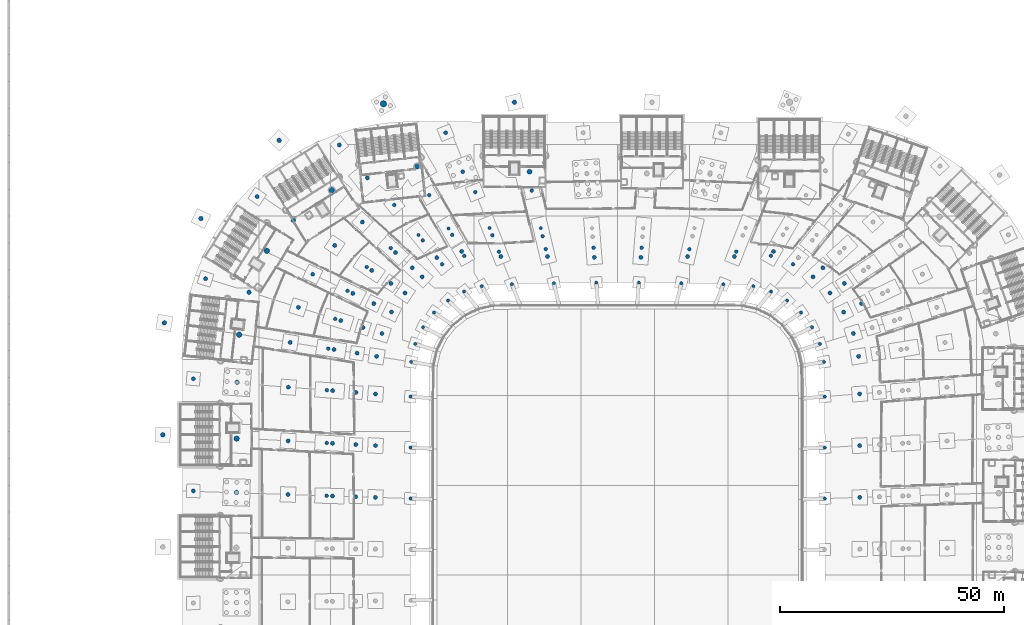
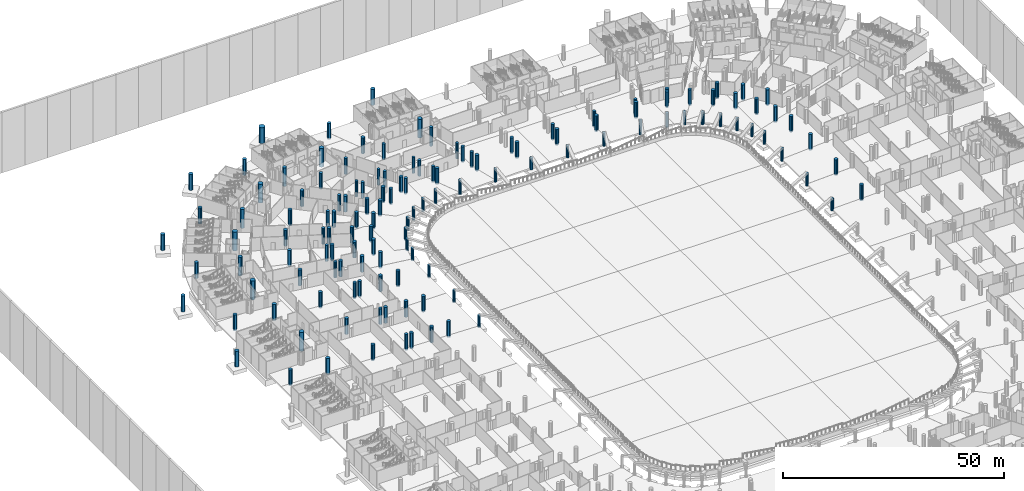
# One storey, part 11 of 142: 132 columns.
"""IFC4 building model written with IfcOpenShell, lengths in metres."""

from ifc_helpers import new_model, si_unit, direction, frame, origin, origin_2d, place, context, subcontext, project, spatial, circle, extrude, material, material_profile, profile_set, type_object, element, save


model = new_model("IFC4")

# Units and contexts
model_context = context("Model", 3, precision=1e-05, world=origin(), true_north=direction((0.0, 1.0)))
body_context = subcontext(model_context, "Body", "Model", "MODEL_VIEW")
ifc_project = project(units=[si_unit("LENGTHUNIT", "METRE"), si_unit("AREAUNIT", "SQUARE_METRE"), si_unit("VOLUMEUNIT", "CUBIC_METRE"), si_unit("PLANEANGLEUNIT", "RADIAN"), si_unit("MASSUNIT", "GRAM", prefix="KILO")], contexts=[model_context])

# Site, building, storey
site_placement = place(None, origin())
site = spatial("IfcSite", under=ifc_project, at=site_placement, CompositionType="ELEMENT")
building_placement = place(site_placement, origin())
building = spatial("IfcBuilding", under=site, at=building_placement, Name="Meseta Stadium", CompositionType="ELEMENT")
storey_placement = place(building_placement, frame((0.0, 0.0, -4.0)))
storey = spatial("IfcBuildingStorey", under=building, at=storey_placement, Name="B1", CompositionType="ELEMENT", Elevation=-4.0)

# Columns
ifc_material_1 = material(Name="Concrete C40/50", Category="concrete")
ifc_material_profile_1 = material_profile(ifc_material_1, circle(Radius=0.5, at=origin_2d()), Name="RC D1000")
ifc_profile_set_1 = profile_set([ifc_material_profile_1], Name="Concrete C40/50")
column_type_1 = type_object("IfcColumnType", Name="RC column D1000", PredefinedType="COLUMN", material=ifc_profile_set_1)
for number, where, z_axis, x_axis, name in (
    (1, (-23.0, 105.39990234375, -0.39990234375), (0.0, 0.0, 1.0), (1.0, 0.0, 0.0), "Column C10 B1 frame 20 line R"),
    (2, (-75.474609375, 96.908447265625, -0.39990234375), (0.0, 0.0, 1.0), (1.0, 0.0, 0.0), "Column C10 B1 frame 24 line R"),
):
    element("IfcColumn", number, at=place(storey_placement, frame(where, z_axis=z_axis, x_axis=x_axis)), inside=storey, type_object=column_type_1, Name=name, PredefinedType="COLUMN", context=body_context, shape_type="SweptSolid", body=[
        extrude(circle(Radius=0.5, at=origin_2d()), origin(), (0.0, 0.0, 1.0), 4.39990234375),
    ])
column_1_placement = place(storey_placement, frame((-72.31201171875, 79.091064453125, -1.199951171875), z_axis=(0.0, 0.0, 1.0), x_axis=(1.0, 0.0, 0.0)))
element("IfcColumn", 3, at=column_1_placement, inside=storey, type_object=column_type_1, Name="Column C10 B1 frame 25 line P", PredefinedType="COLUMN", context=body_context, shape_type="SweptSolid", body=[
    extrude(circle(Radius=0.5, at=origin_2d()), origin(), (0.0, 0.0, 1.0), 5.199951171875),
])
column_2_placement = place(storey_placement, frame((-92.908447265625, 79.474609375, -0.39990234375), z_axis=(0.0, 0.0, 1.0), x_axis=(1.0, 0.0, 0.0)))
element("IfcColumn", 4, at=column_2_placement, inside=storey, type_object=column_type_1, Name="Column C10 B1 frame 26 line R", PredefinedType="COLUMN", context=body_context, shape_type="SweptSolid", body=[
    extrude(circle(Radius=0.5, at=origin_2d()), origin(), (0.0, 0.0, 1.0), 4.39990234375),
])
column_3_placement = place(storey_placement, frame((-82.169189453125, 63.03369140625, -1.199951171875), z_axis=(0.0, 0.0, 1.0), x_axis=(1.0, 0.0, 0.0)))
element("IfcColumn", 5, at=column_3_placement, inside=storey, type_object=column_type_1, Name="Column C10 B1 frame 27 line P", PredefinedType="COLUMN", context=body_context, shape_type="SweptSolid", body=[
    extrude(circle(Radius=0.5, at=origin_2d()), origin(), (0.0, 0.0, 1.0), 5.199951171875),
])
for number, where, z_axis, x_axis, name in (
    (6, (-101.0517578125, 56.202880859375, -0.39990234375), (0.0, 0.0, 1.0), (1.0, 0.0, 0.0), "Column C10 B1 frame 28 line R"),
    (7, (-84.85400390625, 42.948486328125, -0.39990234375), (0.0, 0.0, 1.0), (1.0, 0.0, 0.0), "Column C10 B1 frame 29 line P"),
    (8, (-101.39990234375, 31.25, -0.39990234375), (0.0, 0.0, 1.0), (1.0, 0.0, 0.0), "Column C10 B1 frame 30 line R"),
    (9, (-84.97314453125, 18.41064453125, -0.39990234375), (0.0, 0.0, 1.0), (1.0, 0.0, 0.0), "Column C10 B1 frame 31 line P"),
):
    element("IfcColumn", number, at=place(storey_placement, frame(where, z_axis=z_axis, x_axis=x_axis)), inside=storey, type_object=column_type_1, Name=name, PredefinedType="COLUMN", context=body_context, shape_type="SweptSolid", body=[
        extrude(circle(Radius=0.5, at=origin_2d()), origin(), (0.0, 0.0, 1.0), 4.39990234375),
    ])
ifc_material_2 = material(Name="Concrete C40/50", Category="concrete")
ifc_material_profile_2 = material_profile(ifc_material_2, circle(Radius=0.550048828125, at=origin_2d()), Name="RC D1100")
ifc_profile_set_2 = profile_set([ifc_material_profile_2], Name="Concrete C40/50")
column_type_2 = type_object("IfcColumnType", Name="RC column D1100", PredefinedType="COLUMN", material=ifc_profile_set_2)
for number, where, z_axis, x_axis, name in (
    (10, (-19.62744140625, 89.90380859375, -1.199951171875), (0.0, 0.0, 1.0), (1.0, 0.0, 0.0), "Column C11 B1 frame 20 line P"),
    (11, (-44.6826171875, 91.0908203125, -1.199951171875), (0.0, 0.0, 1.0), (1.0, 0.0, 0.0), "Column C11 B1 frame 22 line P"),
):
    element("IfcColumn", number, at=place(storey_placement, frame(where, z_axis=z_axis, x_axis=x_axis)), inside=storey, type_object=column_type_2, Name=name, PredefinedType="COLUMN", context=body_context, shape_type="SweptSolid", body=[
        extrude(circle(Radius=0.550048828125, at=origin_2d()), origin(), (0.0, 0.0, 1.0), 5.199951171875),
    ])
ifc_material_3 = material(Name="Concrete C40/50", Category="concrete")
ifc_material_profile_3 = material_profile(ifc_material_3, circle(Radius=0.60009765625, at=origin_2d()), Name="RC D1200")
ifc_profile_set_3 = profile_set([ifc_material_profile_3], Name="Concrete C40/50")
column_type_3 = type_object("IfcColumnType", Name="RC column D1200", PredefinedType="COLUMN", material=ifc_profile_set_3)
for number, where, z_axis, x_axis, name in (
    (12, (-63.731201171875, 85.77099609375, -1.199951171875), (0.0, 0.0, 1.0), (1.0, 0.0, 0.0), "Column C12 B1 frame 24 line P"),
    (13, (-78.197998046875, 72.27197265625, -1.199951171875), (0.0, 0.0, 1.0), (1.0, 0.0, 0.0), "Column C12 B1 frame 26 line P"),
    (14, (-84.36328125, 53.5654296875, -1.199951171875), (0.0, 0.0, 1.0), (1.0, 0.0, 0.0), "Column C12 B1 frame 28 line P"),
    (15, (-84.940673828125, 30.404052734375, -1.199951171875), (0.0, 0.0, 1.0), (1.0, 0.0, 0.0), "Column C12 B1 frame 30 line P"),
):
    element("IfcColumn", number, at=place(storey_placement, frame(where, z_axis=z_axis, x_axis=x_axis)), inside=storey, type_object=column_type_3, Name=name, PredefinedType="COLUMN", context=body_context, shape_type="SweptSolid", body=[
        extrude(circle(Radius=0.60009765625, at=origin_2d()), origin(), (0.0, 0.0, 1.0), 5.199951171875),
    ])
ifc_material_4 = material(Name="Concrete C40/50", Category="concrete")
ifc_material_profile_4 = material_profile(ifc_material_4, circle(Radius=0.699951171875, at=origin_2d()), Name="RC D1400")
ifc_profile_set_4 = profile_set([ifc_material_profile_4], Name="Concrete C40/50")
column_type_4 = type_object("IfcColumnType", Name="RC column D1400", PredefinedType="COLUMN", material=ifc_profile_set_4)
column_4_placement = place(storey_placement, frame((-52.202880859375, 105.0517578125, -0.39990234375), z_axis=(0.0, 0.0, 1.0), x_axis=(1.0, 0.0, 0.0)))
element("IfcColumn", 16, at=column_4_placement, inside=storey, type_object=column_type_4, Name="Column C14 B1 frame 22 line R", PredefinedType="COLUMN", context=body_context, shape_type="SweptSolid", body=[
    extrude(circle(Radius=0.699951171875, at=origin_2d()), origin(), (0.0, 0.0, 1.0), 4.39990234375),
])
ifc_material_5 = material(Name="Concrete C40/50", Category="concrete")
ifc_material_profile_5 = material_profile(ifc_material_5, circle(Radius=0.35009765625, at=origin_2d()), Name="RC D700")
ifc_profile_set_5 = profile_set([ifc_material_profile_5], Name="Concrete C40/50")
column_type_5 = type_object("IfcColumnType", Name="RC column D700", PredefinedType="COLUMN", material=ifc_profile_set_5)
column_5_placement = place(storey_placement, frame((46.197265625, 17.0458984375, -0.39990234375), z_axis=(0.0, 0.0, 1.0), x_axis=(1.0, 0.0, 0.0)))
element("IfcColumn", 17, at=column_5_placement, inside=storey, type_object=column_type_5, Name="Column C7 B1 frame 6 line A", PredefinedType="COLUMN", context=body_context, shape_type="SweptSolid", body=[
    extrude(circle(Radius=0.35009765625, at=origin_2d()), origin(), (0.0, 0.0, 1.0), 3.39501953125),
])
column_6_placement = place(storey_placement, frame((46.192138671875, 28.40966796875, -0.39990234375), z_axis=(0.0, 0.0, 1.0), x_axis=(1.0, 0.0, 0.0)))
element("IfcColumn", 18, at=column_6_placement, inside=storey, type_object=column_type_5, Name="Column C7 B1 frame 7 line A", PredefinedType="COLUMN", context=body_context, shape_type="SweptSolid", body=[
    extrude(circle(Radius=0.35009765625, at=origin_2d()), origin(), (0.0, 0.0, 1.0), 3.4580078125),
])
column_7_placement = place(storey_placement, frame((46.184814453125, 39.77294921875, -0.39990234375), z_axis=(0.0, 0.0, 1.0), x_axis=(1.0, 0.0, 0.0)))
element("IfcColumn", 19, at=column_7_placement, inside=storey, type_object=column_type_5, Name="Column C7 B1 frame 8 line A", PredefinedType="COLUMN", context=body_context, shape_type="SweptSolid", body=[
    extrude(circle(Radius=0.35009765625, at=origin_2d()), origin(), (0.0, 0.0, 1.0), 3.5205078125),
])
column_8_placement = place(storey_placement, frame((46.03955078125, 47.50634765625, -0.39990234375), z_axis=(0.0, 0.0, 1.0), x_axis=(1.0, 0.0, 0.0)))
element("IfcColumn", 20, at=column_8_placement, inside=storey, type_object=column_type_5, Name="Column C7 B1 frame 9 line A", PredefinedType="COLUMN", context=body_context, shape_type="SweptSolid", body=[
    extrude(circle(Radius=0.35009765625, at=origin_2d()), origin(), (0.0, 0.0, 1.0), 3.52587890625),
])
column_9_placement = place(storey_placement, frame((45.1201171875, 51.509765625, -0.39990234375), z_axis=(0.0, 0.0, 1.0), x_axis=(1.0, 0.0, 0.0)))
element("IfcColumn", 21, at=column_9_placement, inside=storey, type_object=column_type_5, Name="Column C7 B1 frame 10 line A", PredefinedType="COLUMN", context=body_context, shape_type="SweptSolid", body=[
    extrude(circle(Radius=0.35009765625, at=origin_2d()), origin(), (0.0, 0.0, 1.0), 3.3876953125),
])
column_10_placement = place(storey_placement, frame((43.38720703125, 55.234130859375, -0.39990234375), z_axis=(0.0, 0.0, 1.0), x_axis=(1.0, 0.0, 0.0)))
element("IfcColumn", 22, at=column_10_placement, inside=storey, type_object=column_type_5, Name="Column C7 B1 frame 11 line A", PredefinedType="COLUMN", context=body_context, shape_type="SweptSolid", body=[
    extrude(circle(Radius=0.35009765625, at=origin_2d()), origin(), (0.0, 0.0, 1.0), 3.45556640625),
])
column_11_placement = place(storey_placement, frame((40.91650390625, 58.51611328125, -0.39990234375), z_axis=(0.0, 0.0, 1.0), x_axis=(1.0, 0.0, 0.0)))
element("IfcColumn", 23, at=column_11_placement, inside=storey, type_object=column_type_5, Name="Column C7 B1 frame 12 line A", PredefinedType="COLUMN", context=body_context, shape_type="SweptSolid", body=[
    extrude(circle(Radius=0.35009765625, at=origin_2d()), origin(), (0.0, 0.0, 1.0), 3.521240234375),
])
column_12_placement = place(storey_placement, frame((37.816162109375, 61.212158203125, -0.39990234375), z_axis=(0.0, 0.0, 1.0), x_axis=(1.0, 0.0, 0.0)))
element("IfcColumn", 24, at=column_12_placement, inside=storey, type_object=column_type_5, Name="Column C7 B1 frame 13 line A", PredefinedType="COLUMN", context=body_context, shape_type="SweptSolid", body=[
    extrude(circle(Radius=0.35009765625, at=origin_2d()), origin(), (0.0, 0.0, 1.0), 3.583740234375),
])
column_13_placement = place(storey_placement, frame((34.219970703125, 63.204833984375, -0.39990234375), z_axis=(0.0, 0.0, 1.0), x_axis=(1.0, 0.0, 0.0)))
element("IfcColumn", 25, at=column_13_placement, inside=storey, type_object=column_type_5, Name="Column C7 B1 frame 14 line A", PredefinedType="COLUMN", context=body_context, shape_type="SweptSolid", body=[
    extrude(circle(Radius=0.35009765625, at=origin_2d()), origin(), (0.0, 0.0, 1.0), 3.641845703125),
])
column_14_placement = place(storey_placement, frame((30.28173828125, 64.40771484375, -0.39990234375), z_axis=(0.0, 0.0, 1.0), x_axis=(1.0, 0.0, 0.0)))
element("IfcColumn", 26, at=column_14_placement, inside=storey, type_object=column_type_5, Name="Column C7 B1 frame 15 line A", PredefinedType="COLUMN", context=body_context, shape_type="SweptSolid", body=[
    extrude(circle(Radius=0.35009765625, at=origin_2d()), origin(), (0.0, 0.0, 1.0), 3.97509765625),
])
column_15_placement = place(storey_placement, frame((23.584716796875, 64.833251953125, -0.39990234375), z_axis=(0.0, 0.0, 1.0), x_axis=(1.0, 0.0, 0.0)))
element("IfcColumn", 27, at=column_15_placement, inside=storey, type_object=column_type_5, Name="Column C7 B1 frame 16 line A", PredefinedType="COLUMN", context=body_context, shape_type="SweptSolid", body=[
    extrude(circle(Radius=0.35009765625, at=origin_2d()), origin(), (0.0, 0.0, 1.0), 3.994140625),
])
column_16_placement = place(storey_placement, frame((14.204345703125, 65.05859375, -0.39990234375), z_axis=(0.0, 0.0, 1.0), x_axis=(1.0, 0.0, 0.0)))
element("IfcColumn", 28, at=column_16_placement, inside=storey, type_object=column_type_5, Name="Column C7 B1 frame 17 line A", PredefinedType="COLUMN", context=body_context, shape_type="SweptSolid", body=[
    extrude(circle(Radius=0.35009765625, at=origin_2d()), origin(), (0.0, 0.0, 1.0), 3.670654296875),
])
for number, where, z_axis, x_axis, name in (
    (29, (4.74462890625, 65.18359375, -0.39990234375), (0.0, 0.0, 1.0), (1.0, 0.0, 0.0), "Column C7 B1 frame 18 line A"),
    (30, (-4.74462890625, 65.18359375, -0.39990234375), (0.0, 0.0, 1.0), (1.0, 0.0, 0.0), "Column C7 B1 frame 19 line A"),
):
    element("IfcColumn", number, at=place(storey_placement, frame(where, z_axis=z_axis, x_axis=x_axis)), inside=storey, type_object=column_type_5, Name=name, PredefinedType="COLUMN", context=body_context, shape_type="SweptSolid", body=[
        extrude(circle(Radius=0.35009765625, at=origin_2d()), origin(), (0.0, 0.0, 1.0), 3.323486328125),
    ])
column_17_placement = place(storey_placement, frame((-14.204345703125, 65.05859375, -0.39990234375), z_axis=(0.0, 0.0, 1.0), x_axis=(1.0, 0.0, 0.0)))
element("IfcColumn", 31, at=column_17_placement, inside=storey, type_object=column_type_5, Name="Column C7 B1 frame 20 line A", PredefinedType="COLUMN", context=body_context, shape_type="SweptSolid", body=[
    extrude(circle(Radius=0.35009765625, at=origin_2d()), origin(), (0.0, 0.0, 1.0), 3.670654296875),
])
column_18_placement = place(storey_placement, frame((-17.126708984375, 77.33203125, -0.39990234375), z_axis=(0.0, 0.0, 1.0), x_axis=(1.0, 0.0, 0.0)))
element("IfcColumn", 32, at=column_18_placement, inside=storey, type_object=column_type_5, Name="Column C7 B1 frame 20 line D", PredefinedType="COLUMN", context=body_context, shape_type="SweptSolid", body=[
    extrude(circle(Radius=0.35009765625, at=origin_2d()), origin(), (0.0, 0.0, 1.0), 4.39990234375),
])
column_19_placement = place(storey_placement, frame((-23.584716796875, 64.833251953125, -0.39990234375), z_axis=(0.0, 0.0, 1.0), x_axis=(1.0, 0.0, 0.0)))
element("IfcColumn", 33, at=column_19_placement, inside=storey, type_object=column_type_5, Name="Column C7 B1 frame 21 line A", PredefinedType="COLUMN", context=body_context, shape_type="SweptSolid", body=[
    extrude(circle(Radius=0.35009765625, at=origin_2d()), origin(), (0.0, 0.0, 1.0), 3.994140625),
])
column_20_placement = place(storey_placement, frame((-28.564697265625, 77.38330078125, -0.39990234375), z_axis=(0.0, 0.0, 1.0), x_axis=(1.0, 0.0, 0.0)))
element("IfcColumn", 34, at=column_20_placement, inside=storey, type_object=column_type_5, Name="Column C7 B1 frame 21 line D", PredefinedType="COLUMN", context=body_context, shape_type="SweptSolid", body=[
    extrude(circle(Radius=0.35009765625, at=origin_2d()), origin(), (0.0, 0.0, 1.0), 4.39990234375),
])
column_21_placement = place(storey_placement, frame((-30.28173828125, 64.40771484375, -0.39990234375), z_axis=(0.0, 0.0, 1.0), x_axis=(1.0, 0.0, 0.0)))
element("IfcColumn", 35, at=column_21_placement, inside=storey, type_object=column_type_5, Name="Column C7 B1 frame 22 line A", PredefinedType="COLUMN", context=body_context, shape_type="SweptSolid", body=[
    extrude(circle(Radius=0.35009765625, at=origin_2d()), origin(), (0.0, 0.0, 1.0), 3.97509765625),
])
column_22_placement = place(storey_placement, frame((-37.711669921875, 77.26171875, -0.39990234375), z_axis=(0.0, 0.0, 1.0), x_axis=(1.0, 0.0, 0.0)))
element("IfcColumn", 36, at=column_22_placement, inside=storey, type_object=column_type_5, Name="Column C7 B1 frame 22 line D", PredefinedType="COLUMN", context=body_context, shape_type="SweptSolid", body=[
    extrude(circle(Radius=0.35009765625, at=origin_2d()), origin(), (0.0, 0.0, 1.0), 4.39990234375),
])
column_23_placement = place(storey_placement, frame((-34.219970703125, 63.204833984375, -0.39990234375), z_axis=(0.0, 0.0, 1.0), x_axis=(1.0, 0.0, 0.0)))
element("IfcColumn", 37, at=column_23_placement, inside=storey, type_object=column_type_5, Name="Column C7 B1 frame 23 line A", PredefinedType="COLUMN", context=body_context, shape_type="SweptSolid", body=[
    extrude(circle(Radius=0.35009765625, at=origin_2d()), origin(), (0.0, 0.0, 1.0), 3.641845703125),
])
column_24_placement = place(storey_placement, frame((-44.39013671875, 75.806396484375, -0.39990234375), z_axis=(0.0, 0.0, 1.0), x_axis=(1.0, 0.0, 0.0)))
element("IfcColumn", 38, at=column_24_placement, inside=storey, type_object=column_type_5, Name="Column C7 B1 frame 23 line D", PredefinedType="COLUMN", context=body_context, shape_type="SweptSolid", body=[
    extrude(circle(Radius=0.35009765625, at=origin_2d()), origin(), (0.0, 0.0, 1.0), 4.39990234375),
])
column_25_placement = place(storey_placement, frame((-37.816162109375, 61.212158203125, -0.39990234375), z_axis=(0.0, 0.0, 1.0), x_axis=(1.0, 0.0, 0.0)))
element("IfcColumn", 39, at=column_25_placement, inside=storey, type_object=column_type_5, Name="Column C7 B1 frame 24 line A", PredefinedType="COLUMN", context=body_context, shape_type="SweptSolid", body=[
    extrude(circle(Radius=0.35009765625, at=origin_2d()), origin(), (0.0, 0.0, 1.0), 3.583740234375),
])
column_26_placement = place(storey_placement, frame((-40.91650390625, 58.51611328125, -0.39990234375), z_axis=(0.0, 0.0, 1.0), x_axis=(1.0, 0.0, 0.0)))
element("IfcColumn", 40, at=column_26_placement, inside=storey, type_object=column_type_5, Name="Column C7 B1 frame 25 line A", PredefinedType="COLUMN", context=body_context, shape_type="SweptSolid", body=[
    extrude(circle(Radius=0.35009765625, at=origin_2d()), origin(), (0.0, 0.0, 1.0), 3.521240234375),
])
column_27_placement = place(storey_placement, frame((-43.38720703125, 55.234130859375, -0.39990234375), z_axis=(0.0, 0.0, 1.0), x_axis=(1.0, 0.0, 0.0)))
element("IfcColumn", 41, at=column_27_placement, inside=storey, type_object=column_type_5, Name="Column C7 B1 frame 26 line A", PredefinedType="COLUMN", context=body_context, shape_type="SweptSolid", body=[
    extrude(circle(Radius=0.35009765625, at=origin_2d()), origin(), (0.0, 0.0, 1.0), 3.45556640625),
])
column_28_placement = place(storey_placement, frame((-45.1201171875, 51.509765625, -0.39990234375), z_axis=(0.0, 0.0, 1.0), x_axis=(1.0, 0.0, 0.0)))
element("IfcColumn", 42, at=column_28_placement, inside=storey, type_object=column_type_5, Name="Column C7 B1 frame 27 line A", PredefinedType="COLUMN", context=body_context, shape_type="SweptSolid", body=[
    extrude(circle(Radius=0.35009765625, at=origin_2d()), origin(), (0.0, 0.0, 1.0), 3.3876953125),
])
column_29_placement = place(storey_placement, frame((-46.03955078125, 47.50634765625, -0.39990234375), z_axis=(0.0, 0.0, 1.0), x_axis=(1.0, 0.0, 0.0)))
element("IfcColumn", 43, at=column_29_placement, inside=storey, type_object=column_type_5, Name="Column C7 B1 frame 28 line A", PredefinedType="COLUMN", context=body_context, shape_type="SweptSolid", body=[
    extrude(circle(Radius=0.35009765625, at=origin_2d()), origin(), (0.0, 0.0, 1.0), 3.52587890625),
])
column_30_placement = place(storey_placement, frame((-46.184814453125, 39.77294921875, -0.39990234375), z_axis=(0.0, 0.0, 1.0), x_axis=(1.0, 0.0, 0.0)))
element("IfcColumn", 44, at=column_30_placement, inside=storey, type_object=column_type_5, Name="Column C7 B1 frame 29 line A", PredefinedType="COLUMN", context=body_context, shape_type="SweptSolid", body=[
    extrude(circle(Radius=0.35009765625, at=origin_2d()), origin(), (0.0, 0.0, 1.0), 3.5205078125),
])
column_31_placement = place(storey_placement, frame((-46.192138671875, 28.40966796875, -0.39990234375), z_axis=(0.0, 0.0, 1.0), x_axis=(1.0, 0.0, 0.0)))
element("IfcColumn", 45, at=column_31_placement, inside=storey, type_object=column_type_5, Name="Column C7 B1 frame 30 line A", PredefinedType="COLUMN", context=body_context, shape_type="SweptSolid", body=[
    extrude(circle(Radius=0.35009765625, at=origin_2d()), origin(), (0.0, 0.0, 1.0), 3.4580078125),
])
column_32_placement = place(storey_placement, frame((-46.197265625, 17.0458984375, -0.39990234375), z_axis=(0.0, 0.0, 1.0), x_axis=(1.0, 0.0, 0.0)))
element("IfcColumn", 46, at=column_32_placement, inside=storey, type_object=column_type_5, Name="Column C7 B1 frame 31 line A", PredefinedType="COLUMN", context=body_context, shape_type="SweptSolid", body=[
    extrude(circle(Radius=0.35009765625, at=origin_2d()), origin(), (0.0, 0.0, 1.0), 3.39501953125),
])
ifc_material_6 = material(Name="Concrete C40/50", Category="concrete")
ifc_material_profile_6 = material_profile(ifc_material_6, circle(Radius=0.39990234375, at=origin_2d()), Name="RC D800")
ifc_profile_set_6 = profile_set([ifc_material_profile_6], Name="Concrete C40/50")
column_type_6 = type_object("IfcColumnType", Name="RC column D800", PredefinedType="COLUMN", material=ifc_profile_set_6)
for number, where, z_axis, x_axis, name in (
    (47, (39.11865234375, 69.274658203125, -0.39990234375), (0.0, 0.0, 1.0), (1.0, 0.0, 0.0), "Column C8 B1 frame 14 line B"),
    (48, (34.185302734375, 71.16064453125, -0.39990234375), (0.0, 0.0, 1.0), (1.0, 0.0, 0.0), "Column C8 B1 frame 15 line B"),
    (49, (26.461669921875, 72.08349609375, -0.39990234375), (0.0, 0.0, 1.0), (1.0, 0.0, 0.0), "Column C8 B1 frame 16 line B"),
    (50, (16.010986328125, 72.646484375, -0.39990234375), (0.0, 0.0, 1.0), (1.0, 0.0, 0.0), "Column C8 B1 frame 17 line B"),
    (51, (5.36181640625, 72.959228515625, -0.39990234375), (0.0, 0.0, 1.0), (1.0, 0.0, 0.0), "Column C8 B1 frame 18 line B"),
    (52, (-5.36181640625, 72.959228515625, -0.39990234375), (0.0, 0.0, 1.0), (1.0, 0.0, 0.0), "Column C8 B1 frame 19 line B"),
    (53, (-16.010986328125, 72.646484375, -0.39990234375), (0.0, 0.0, 1.0), (1.0, 0.0, 0.0), "Column C8 B1 frame 20 line B"),
    (54, (-16.697509765625, 75.529541015625, -0.39990234375), (0.0, 0.0, 1.0), (1.0, 0.0, 0.0), "Column C8 B1 frame 20 line C"),
):
    element("IfcColumn", number, at=place(storey_placement, frame(where, z_axis=z_axis, x_axis=x_axis)), inside=storey, type_object=column_type_6, Name=name, PredefinedType="COLUMN", context=body_context, shape_type="SweptSolid", body=[
        extrude(circle(Radius=0.39990234375, at=origin_2d()), origin(), (0.0, 0.0, 1.0), 4.39990234375),
    ])
column_33_placement = place(storey_placement, frame((-19.11865234375, 85.6982421875, -1.199951171875), z_axis=(0.0, 0.0, 1.0), x_axis=(1.0, 0.0, 0.0)))
element("IfcColumn", 55, at=column_33_placement, inside=storey, type_object=column_type_6, Name="Column C8 B1 frame 20 line E", PredefinedType="COLUMN", context=body_context, shape_type="SweptSolid", body=[
    extrude(circle(Radius=0.39990234375, at=origin_2d()), origin(), (0.0, 0.0, 1.0), 5.199951171875),
])
for number, where, z_axis, x_axis, name in (
    (56, (-26.461669921875, 72.08349609375, -0.39990234375), (0.0, 0.0, 1.0), (1.0, 0.0, 0.0), "Column C8 B1 frame 21 line B"),
    (57, (-27.910888671875, 75.735595703125, -0.39990234375), (0.0, 0.0, 1.0), (1.0, 0.0, 0.0), "Column C8 B1 frame 21 line C"),
    (58, (-31.73681640625, 85.376708984375, -0.39990234375), (0.0, 0.0, 1.0), (1.0, 0.0, 0.0), "Column C8 B1 frame 21 line E"),
    (59, (-34.185302734375, 71.16064453125, -0.39990234375), (0.0, 0.0, 1.0), (1.0, 0.0, 0.0), "Column C8 B1 frame 22 line B"),
    (60, (-36.8857421875, 75.8330078125, -0.39990234375), (0.0, 0.0, 1.0), (1.0, 0.0, 0.0), "Column C8 B1 frame 22 line C"),
    (61, (-42.015625, 84.707275390625, -0.39990234375), (0.0, 0.0, 1.0), (1.0, 0.0, 0.0), "Column C8 B1 frame 22 line E"),
    (62, (-39.11865234375, 69.274658203125, -0.39990234375), (0.0, 0.0, 1.0), (1.0, 0.0, 0.0), "Column C8 B1 frame 23 line B"),
    (63, (-43.430419921875, 74.617431640625, -0.39990234375), (0.0, 0.0, 1.0), (1.0, 0.0, 0.0), "Column C8 B1 frame 23 line C"),
    (64, (-49.791259765625, 82.498779296875, -0.39990234375), (0.0, 0.0, 1.0), (1.0, 0.0, 0.0), "Column C8 B1 frame 23 line E"),
    (65, (-50.571533203125, 72.888671875, -0.39990234375), (0.0, 0.0, 1.0), (1.0, 0.0, 0.0), "Column C8 B1 frame 24 line D"),
    (66, (-55.940185546875, 68.657958984375, -0.39990234375), (0.0, 0.0, 1.0), (1.0, 0.0, 0.0), "Column C8 B1 frame 25 line D"),
    (67, (-60.22216796875, 63.33056640625, -0.39990234375), (0.0, 0.0, 1.0), (1.0, 0.0, 0.0), "Column C8 B1 frame 26 line D"),
    (68, (-62.963623046875, 57.1044921875, -0.39990234375), (0.0, 0.0, 1.0), (1.0, 0.0, 0.0), "Column C8 B1 frame 27 line D"),
    (69, (-64.501708984375, 50.479736328125, -0.39990234375), (0.0, 0.0, 1.0), (1.0, 0.0, 0.0), "Column C8 B1 frame 28 line D"),
    (70, (-64.829833984375, 41.2041015625, -0.39990234375), (0.0, 0.0, 1.0), (1.0, 0.0, 0.0), "Column C8 B1 frame 29 line D"),
    (71, (-64.8642578125, 29.433349609375, -0.39990234375), (0.0, 0.0, 1.0), (1.0, 0.0, 0.0), "Column C8 B1 frame 30 line D"),
    (72, (-64.886962890625, 17.66064453125, -0.39990234375), (0.0, 0.0, 1.0), (1.0, 0.0, 0.0), "Column C8 B1 frame 31 line D"),
):
    element("IfcColumn", number, at=place(storey_placement, frame(where, z_axis=z_axis, x_axis=x_axis)), inside=storey, type_object=column_type_6, Name=name, PredefinedType="COLUMN", context=body_context, shape_type="SweptSolid", body=[
        extrude(circle(Radius=0.39990234375, at=origin_2d()), origin(), (0.0, 0.0, 1.0), 4.39990234375),
    ])
ifc_material_7 = material(Name="Concrete C40/50", Category="concrete")
ifc_material_profile_7 = material_profile(ifc_material_7, circle(Radius=0.449951171875, at=origin_2d()), Name="RC D900")
ifc_profile_set_7 = profile_set([ifc_material_profile_7], Name="Concrete C40/50")
column_type_7 = type_object("IfcColumnType", Name="RC column D900", PredefinedType="COLUMN", material=ifc_profile_set_7)
for number, where, z_axis, x_axis, name in (
    (73, (53.992919921875, 17.302490234375, -0.39990234375), (0.0, 0.0, 1.0), (1.0, 0.0, 0.0), "Column C9 B1 frame 6 line B"),
    (74, (53.98046875, 28.836669921875, -0.39990234375), (0.0, 0.0, 1.0), (1.0, 0.0, 0.0), "Column C9 B1 frame 7 line B"),
    (75, (53.9619140625, 40.369873046875, -0.39990234375), (0.0, 0.0, 1.0), (1.0, 0.0, 0.0), "Column C9 B1 frame 8 line B"),
    (76, (53.740234375, 48.74658203125, -0.39990234375), (0.0, 0.0, 1.0), (1.0, 0.0, 0.0), "Column C9 B1 frame 9 line B"),
    (77, (52.562744140625, 53.843505859375, -0.39990234375), (0.0, 0.0, 1.0), (1.0, 0.0, 0.0), "Column C9 B1 frame 10 line B"),
    (78, (50.41650390625, 58.61474609375, -0.39990234375), (0.0, 0.0, 1.0), (1.0, 0.0, 0.0), "Column C9 B1 frame 11 line B"),
    (79, (54.3642578125, 60.513427734375, -0.39990234375), (0.0, 0.0, 1.0), (1.0, 0.0, 0.0), "Column C9 B1 frame 11 line U"),
    (80, (47.38134765625, 62.880126953125, -0.39990234375), (0.0, 0.0, 1.0), (1.0, 0.0, 0.0), "Column C9 B1 frame 12 line B"),
    (81, (50.552978515625, 65.021240234375, -0.39990234375), (0.0, 0.0, 1.0), (1.0, 0.0, 0.0), "Column C9 B1 frame 12 line U"),
    (82, (43.5693359375, 66.478759765625, -0.39990234375), (0.0, 0.0, 1.0), (1.0, 0.0, 0.0), "Column C9 B1 frame 13 line B"),
    (83, (45.777099609375, 68.499755859375, -0.39990234375), (0.0, 0.0, 1.0), (1.0, 0.0, 0.0), "Column C9 B1 frame 13 line U"),
    (84, (34.7607421875, 72.15625, -0.39990234375), (0.0, 0.0, 1.0), (1.0, 0.0, 0.0), "Column C9 B1 frame 15 line U"),
    (85, (26.03759765625, 71.014404296875, -0.39990234375), (0.0, 0.0, 1.0), (1.0, 0.0, 0.0), "Column C9 B1 frame 16 line U"),
    (86, (15.62109375, 71.0087890625, -0.39990234375), (0.0, 0.0, 1.0), (1.0, 0.0, 0.0), "Column C9 B1 frame 17 line U"),
    (87, (5.1923828125, 70.823974609375, -0.39990234375), (0.0, 0.0, 1.0), (1.0, 0.0, 0.0), "Column C9 B1 frame 18 line U"),
    (88, (-5.1923828125, 70.823974609375, -0.39990234375), (0.0, 0.0, 1.0), (1.0, 0.0, 0.0), "Column C9 B1 frame 19 line U"),
    (89, (-15.62109375, 71.0087890625, -0.39990234375), (0.0, 0.0, 1.0), (1.0, 0.0, 0.0), "Column C9 B1 frame 20 line U"),
    (90, (-26.03759765625, 71.014404296875, -0.39990234375), (0.0, 0.0, 1.0), (1.0, 0.0, 0.0), "Column C9 B1 frame 21 line U"),
    (91, (-34.53076171875, 89.911865234375, -0.39990234375), (0.0, 0.0, 1.0), (1.0, 0.0, 0.0), "Column C9 B1 frame 21 line P"),
    (92, (-38.333251953125, 98.60009765625, -0.39990234375), (0.0, 0.0, 1.0), (1.0, 0.0, 0.0), "Column C9 B1 frame 21 line R"),
    (93, (-34.7607421875, 72.15625, -0.39990234375), (0.0, 0.0, 1.0), (1.0, 0.0, 0.0), "Column C9 B1 frame 22 line U"),
    (94, (-40.307861328125, 70.748291015625, -0.39990234375), (0.0, 0.0, 1.0), (1.0, 0.0, 0.0), "Column C9 B1 frame 23 line U"),
):
    element("IfcColumn", number, at=place(storey_placement, frame(where, z_axis=z_axis, x_axis=x_axis)), inside=storey, type_object=column_type_7, Name=name, PredefinedType="COLUMN", context=body_context, shape_type="SweptSolid", body=[
        extrude(circle(Radius=0.449951171875, at=origin_2d()), origin(), (0.0, 0.0, 1.0), 4.39990234375),
    ])
column_34_placement = place(storey_placement, frame((-55.799560546875, 88.541748046875, -1.199951171875), z_axis=(0.0, 0.0, 1.0), x_axis=(1.0, 0.0, 0.0)))
element("IfcColumn", 95, at=column_34_placement, inside=storey, type_object=column_type_7, Name="Column C9 B1 frame 23 line P", PredefinedType="COLUMN", context=body_context, shape_type="SweptSolid", body=[
    extrude(circle(Radius=0.449951171875, at=origin_2d()), origin(), (0.0, 0.0, 1.0), 5.199951171875),
])
for number, where, z_axis, x_axis, name in (
    (96, (-62.051513671875, 95.872802734375, -0.39990234375), (0.0, 0.0, 1.0), (1.0, 0.0, 0.0), "Column C9 B1 frame 23 line R"),
    (97, (-43.5693359375, 66.478759765625, -0.39990234375), (0.0, 0.0, 1.0), (1.0, 0.0, 0.0), "Column C9 B1 frame 24 line B"),
    (98, (-45.777099609375, 68.499755859375, -0.39990234375), (0.0, 0.0, 1.0), (1.0, 0.0, 0.0), "Column C9 B1 frame 24 line U"),
    (99, (-49.518310546875, 71.924560546875, -0.39990234375), (0.0, 0.0, 1.0), (1.0, 0.0, 0.0), "Column C9 B1 frame 24 line C"),
    (100, (-56.9150390625, 78.69580078125, -0.39990234375), (0.0, 0.0, 1.0), (1.0, 0.0, 0.0), "Column C9 B1 frame 24 line E"),
    (101, (-47.38134765625, 62.880126953125, -0.39990234375), (0.0, 0.0, 1.0), (1.0, 0.0, 0.0), "Column C9 B1 frame 25 line B"),
    (102, (-50.552978515625, 65.021240234375, -0.39990234375), (0.0, 0.0, 1.0), (1.0, 0.0, 0.0), "Column C9 B1 frame 25 line U"),
    (103, (-54.819580078125, 67.901611328125, -0.39990234375), (0.0, 0.0, 1.0), (1.0, 0.0, 0.0), "Column C9 B1 frame 25 line C"),
    (104, (-63.068115234375, 73.469970703125, -0.39990234375), (0.0, 0.0, 1.0), (1.0, 0.0, 0.0), "Column C9 B1 frame 25 line E"),
    (105, (-80.365478515625, 84.365478515625, -0.39990234375), (0.0, 0.0, 1.0), (1.0, 0.0, 0.0), "Column C9 B1 frame 25 line R"),
    (106, (-50.41650390625, 58.61474609375, -0.39990234375), (0.0, 0.0, 1.0), (1.0, 0.0, 0.0), "Column C9 B1 frame 26 line B"),
    (107, (-54.3642578125, 60.513427734375, -0.39990234375), (0.0, 0.0, 1.0), (1.0, 0.0, 0.0), "Column C9 B1 frame 26 line U"),
    (108, (-59.049072265625, 62.766357421875, -0.39990234375), (0.0, 0.0, 1.0), (1.0, 0.0, 0.0), "Column C9 B1 frame 26 line C"),
    (109, (-67.972412109375, 67.057861328125, -0.39990234375), (0.0, 0.0, 1.0), (1.0, 0.0, 0.0), "Column C9 B1 frame 26 line E"),
    (110, (-52.562744140625, 53.843505859375, -0.39990234375), (0.0, 0.0, 1.0), (1.0, 0.0, 0.0), "Column C9 B1 frame 27 line B"),
    (111, (-56.76123046875, 55.15966796875, -0.39990234375), (0.0, 0.0, 1.0), (1.0, 0.0, 0.0), "Column C9 B1 frame 27 line U"),
    (112, (-61.72314453125, 56.715576171875, -0.39990234375), (0.0, 0.0, 1.0), (1.0, 0.0, 0.0), "Column C9 B1 frame 27 line C"),
    (113, (-71.169677734375, 59.67724609375, -0.39990234375), (0.0, 0.0, 1.0), (1.0, 0.0, 0.0), "Column C9 B1 frame 27 line E"),
    (114, (-91.872802734375, 66.051513671875, -0.39990234375), (0.0, 0.0, 1.0), (1.0, 0.0, 0.0), "Column C9 B1 frame 27 line R"),
    (115, (-53.740234375, 48.74658203125, -0.39990234375), (0.0, 0.0, 1.0), (1.0, 0.0, 0.0), "Column C9 B1 frame 28 line B"),
    (116, (-58.084228515625, 49.4462890625, -0.39990234375), (0.0, 0.0, 1.0), (1.0, 0.0, 0.0), "Column C9 B1 frame 28 line U"),
    (117, (-63.21826171875, 50.27294921875, -0.39990234375), (0.0, 0.0, 1.0), (1.0, 0.0, 0.0), "Column C9 B1 frame 28 line C"),
    (118, (-72.9921875, 51.84716796875, -0.39990234375), (0.0, 0.0, 1.0), (1.0, 0.0, 0.0), "Column C9 B1 frame 28 line E"),
    (119, (-53.9619140625, 40.369873046875, -0.39990234375), (0.0, 0.0, 1.0), (1.0, 0.0, 0.0), "Column C9 B1 frame 29 line B"),
    (120, (-58.348876953125, 40.70654296875, -0.39990234375), (0.0, 0.0, 1.0), (1.0, 0.0, 0.0), "Column C9 B1 frame 29 line U"),
    (121, (-63.53369140625, 41.1044921875, -0.39990234375), (0.0, 0.0, 1.0), (1.0, 0.0, 0.0), "Column C9 B1 frame 29 line C"),
    (122, (-73.40478515625, 41.8623046875, -0.39990234375), (0.0, 0.0, 1.0), (1.0, 0.0, 0.0), "Column C9 B1 frame 29 line E"),
    (123, (-94.60009765625, 43.75, -0.39990234375), (0.0, 0.0, 1.0), (1.0, 0.0, 0.0), "Column C9 B1 frame 29 line R"),
    (124, (-53.98046875, 28.836669921875, -0.39990234375), (0.0, 0.0, 1.0), (1.0, 0.0, 0.0), "Column C9 B1 frame 30 line B"),
    (125, (-58.3740234375, 29.07763671875, -0.39990234375), (0.0, 0.0, 1.0), (1.0, 0.0, 0.0), "Column C9 B1 frame 30 line U"),
    (126, (-63.566162109375, 29.362060546875, -0.39990234375), (0.0, 0.0, 1.0), (1.0, 0.0, 0.0), "Column C9 B1 frame 30 line C"),
    (127, (-73.451171875, 29.904052734375, -0.39990234375), (0.0, 0.0, 1.0), (1.0, 0.0, 0.0), "Column C9 B1 frame 30 line E"),
    (128, (-53.992919921875, 17.302490234375, -0.39990234375), (0.0, 0.0, 1.0), (1.0, 0.0, 0.0), "Column C9 B1 frame 31 line B"),
    (129, (-58.390625, 17.447021484375, -0.39990234375), (0.0, 0.0, 1.0), (1.0, 0.0, 0.0), "Column C9 B1 frame 31 line U"),
    (130, (-63.587890625, 17.617919921875, -0.39990234375), (0.0, 0.0, 1.0), (1.0, 0.0, 0.0), "Column C9 B1 frame 31 line C"),
    (131, (-73.482421875, 17.943603515625, -0.39990234375), (0.0, 0.0, 1.0), (1.0, 0.0, 0.0), "Column C9 B1 frame 31 line E"),
    (132, (-94.60009765625, 18.75, -0.39990234375), (0.0, 0.0, 1.0), (1.0, 0.0, 0.0), "Column C9 B1 frame 31 line R"),
):
    element("IfcColumn", number, at=place(storey_placement, frame(where, z_axis=z_axis, x_axis=x_axis)), inside=storey, type_object=column_type_7, Name=name, PredefinedType="COLUMN", context=body_context, shape_type="SweptSolid", body=[
        extrude(circle(Radius=0.449951171875, at=origin_2d()), origin(), (0.0, 0.0, 1.0), 4.39990234375),
    ])

save(model, "model.ifc")
